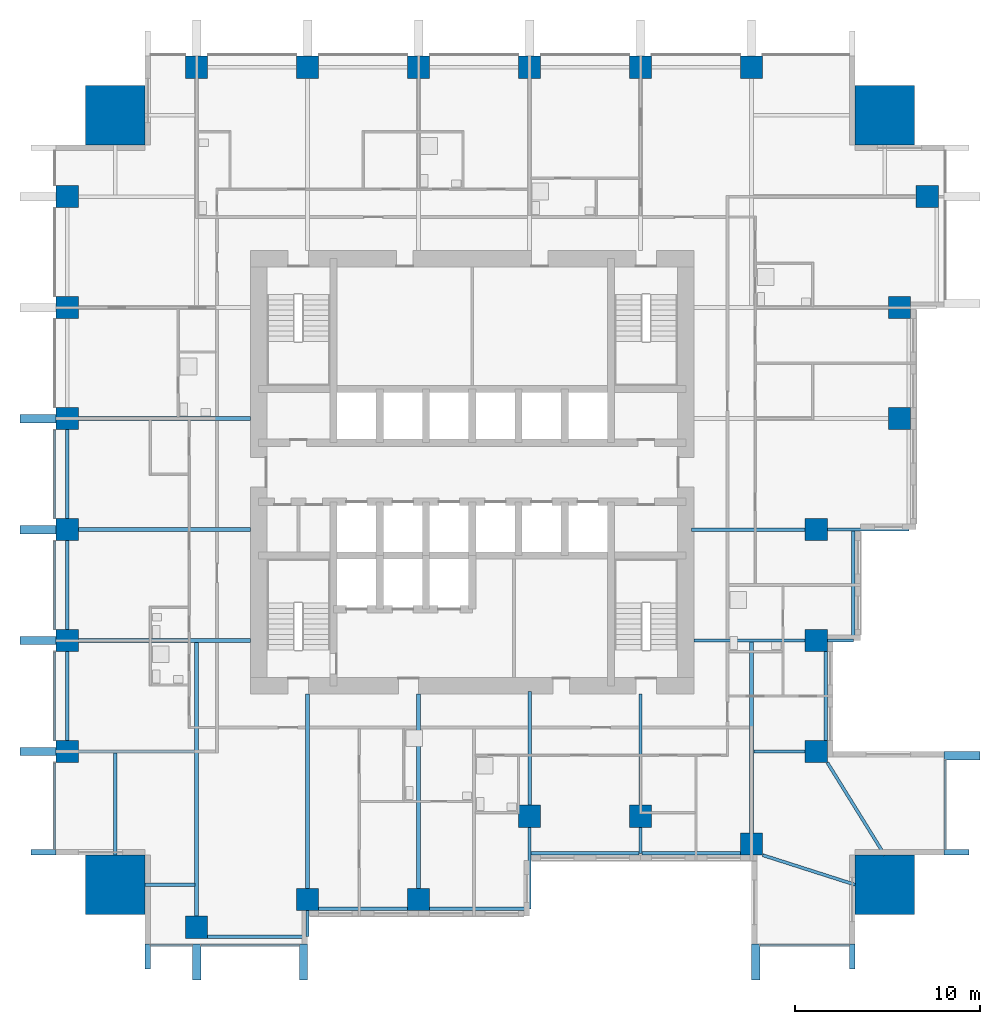
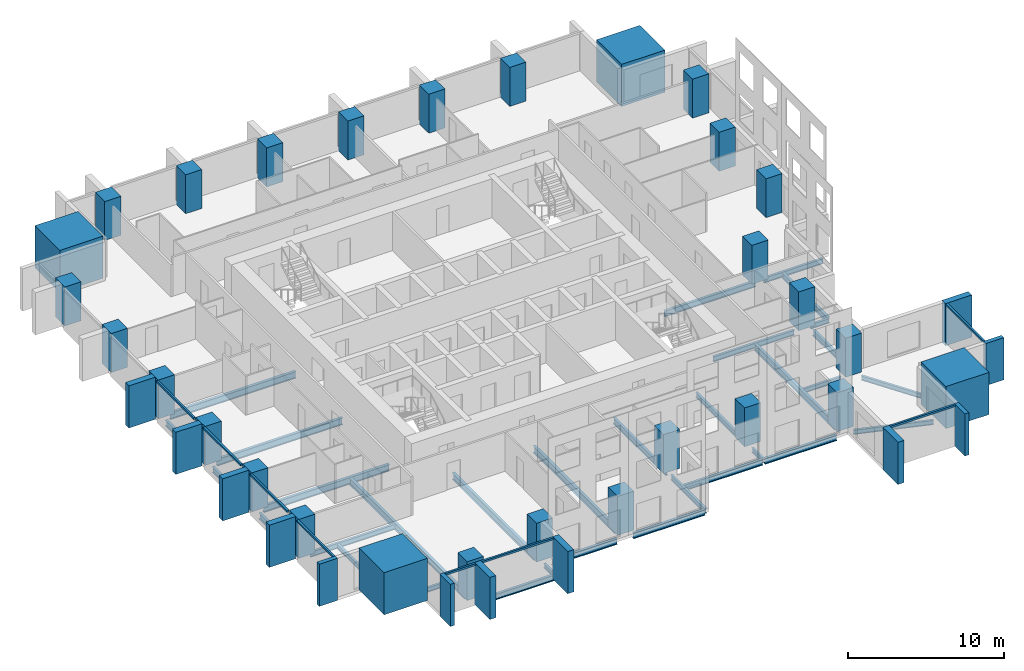
# One storey, part 1 of 11: 32 beams, 28 columns, 20 members, 4 elements without a shape of their own.
"""IFC4 building model written with IfcOpenShell, lengths in metres."""

from ifc_helpers import new_model, si_unit, direction, frame, origin, origin_2d, place, context, subcontext, project, spatial, rectangle, i_section, extrude, material, material_profile, profile_set, type_object, element, aggregate, save


model = new_model("IFC4")

# Units and contexts
model_context = context("Model", 3, precision=1e-05, world=origin(), true_north=direction((0.0, 1.0)))
body_context = subcontext(model_context, "Body", "Model", "MODEL_VIEW")
ifc_project = project(units=[si_unit("LENGTHUNIT", "METRE"), si_unit("AREAUNIT", "SQUARE_METRE"), si_unit("VOLUMEUNIT", "CUBIC_METRE"), si_unit("PLANEANGLEUNIT", "RADIAN"), si_unit("MASSUNIT", "GRAM", prefix="KILO")], contexts=[model_context])

# Site, building, storey
site_placement = place(None, origin())
site = spatial("IfcSite", under=ifc_project, at=site_placement, CompositionType="ELEMENT")
building_placement = place(site_placement, origin())
building = spatial("IfcBuilding", under=site, at=building_placement, Name="Amberfall Residences", CompositionType="ELEMENT")
storey_placement = place(building_placement, frame((0.0, 0.0, 33.39990234375)))
storey = spatial("IfcBuildingStorey", under=building, at=storey_placement, Name="L08", CompositionType="ELEMENT", Elevation=33.39990234375)

# Columns
ifc_material_1 = material(Name="Concrete C80", Category="concrete")
ifc_material_profile_1 = material_profile(ifc_material_1, rectangle(XDim=1.199951171875, YDim=1.199951171875, at=origin_2d()), Name="Column 1200 x 1200 C80")
ifc_profile_set_1 = profile_set([ifc_material_profile_1], Name="Concrete C80")
column_type_1 = type_object("IfcColumnType", Name="Column 1200 x 1200 C80", PredefinedType="COLUMN", material=ifc_profile_set_1)
for number, where, z_axis, x_axis, name in (
    (1, (59.60009765625, 20.89990234375, 0.0), (0.0, 0.0, 1.0), (1.0, 0.0, 0.0), "Column C1 L08 S1"),
    (2, (65.60009765625, 22.39990234375, 0.0), (0.0, 0.0, 1.0), (1.0, 0.0, 0.0), "Column C1 L08 S2"),
    (3, (71.60009765625, 22.39990234375, 0.0), (0.0, 0.0, 1.0), (1.0, 0.0, 0.0), "Column C1 L08 S3"),
    (4, (77.60009765625, 26.89990234375, 0.0), (0.0, 0.0, 1.0), (1.0, 0.0, 0.0), "Column C1 L08 S4"),
    (5, (83.60009765625, 26.89990234375, 0.0), (0.0, 0.0, 1.0), (1.0, 0.0, 0.0), "Column C1 L08 S5"),
    (6, (89.60009765625, 25.39990234375, 0.0), (0.0, 0.0, 1.0), (1.0, 0.0, 0.0), "Column C1 L08 S6"),
    (7, (93.10009765625, 30.39990234375, 0.0), (0.0, 0.0, 1.0), (1.0, 0.0, 0.0), "Column C1 L08 E1"),
    (8, (93.10009765625, 36.39990234375, 0.0), (0.0, 0.0, 1.0), (1.0, 0.0, 0.0), "Column C1 L08 E2"),
    (9, (93.10009765625, 42.39990234375, 0.0), (0.0, 0.0, 1.0), (1.0, 0.0, 0.0), "Column C1 L08 E3"),
    (10, (97.60009765625, 48.39990234375, 0.0), (0.0, 0.0, 1.0), (1.0, 0.0, 0.0), "Column C1 L08 E4"),
    (11, (97.60009765625, 54.39990234375, 0.0), (0.0, 0.0, 1.0), (1.0, 0.0, 0.0), "Column C1 L08 E5"),
    (12, (99.10009765625, 60.39990234375, 0.0), (0.0, 0.0, 1.0), (1.0, 0.0, 0.0), "Column C1 L08 E6"),
    (13, (59.60009765625, 67.39990234375, 0.0), (0.0, 0.0, 1.0), (1.0, 0.0, 0.0), "Column C1 L08 N1"),
    (14, (65.60009765625, 67.39990234375, 0.0), (0.0, 0.0, 1.0), (1.0, 0.0, 0.0), "Column C1 L08 N2"),
    (15, (71.60009765625, 67.39990234375, 0.0), (0.0, 0.0, 1.0), (1.0, 0.0, 0.0), "Column C1 L08 N3"),
    (16, (77.60009765625, 67.39990234375, 0.0), (0.0, 0.0, 1.0), (1.0, 0.0, 0.0), "Column C1 L08 N4"),
    (17, (83.60009765625, 67.39990234375, 0.0), (0.0, 0.0, 1.0), (1.0, 0.0, 0.0), "Column C1 L08 N5"),
    (18, (89.60009765625, 67.39990234375, 0.0), (0.0, 0.0, 1.0), (1.0, 0.0, 0.0), "Column C1 L08 N6"),
    (19, (52.60009765625, 30.39990234375, 0.0), (0.0, 0.0, 1.0), (1.0, 0.0, 0.0), "Column C1 L08 W1"),
    (20, (52.60009765625, 36.39990234375, 0.0), (0.0, 0.0, 1.0), (1.0, 0.0, 0.0), "Column C1 L08 W2"),
    (21, (52.60009765625, 42.39990234375, 0.0), (0.0, 0.0, 1.0), (1.0, 0.0, 0.0), "Column C1 L08 W3"),
    (22, (52.60009765625, 48.39990234375, 0.0), (0.0, 0.0, 1.0), (1.0, 0.0, 0.0), "Column C1 L08 W4"),
    (23, (52.60009765625, 54.39990234375, 0.0), (0.0, 0.0, 1.0), (1.0, 0.0, 0.0), "Column C1 L08 W5"),
    (24, (52.60009765625, 60.39990234375, 0.0), (0.0, 0.0, 1.0), (1.0, 0.0, 0.0), "Column C1 L08 W6"),
):
    element("IfcColumn", number, at=place(storey_placement, frame(where, z_axis=z_axis, x_axis=x_axis)), inside=storey, type_object=column_type_1, Name=name, PredefinedType="COLUMN", context=body_context, shape_type="SweptSolid", body=[
        extrude(rectangle(XDim=1.199951171875, YDim=1.199951171875, at=origin_2d()), origin(), (0.0, 0.0, 1.0), 3.050048828125),
    ])
ifc_material_profile_2 = material_profile(ifc_material_1, rectangle(XDim=3.199951171875, YDim=3.199951171875, at=origin_2d()), Name="Mega column 3200 x 3200 C80")
ifc_profile_set_2 = profile_set([ifc_material_profile_2], Name="Concrete C80")
column_type_2 = type_object("IfcColumnType", Name="Mega column 3200 x 3200 C80", PredefinedType="COLUMN", material=ifc_profile_set_2)
for number, where, z_axis, x_axis, name in (
    (25, (55.199951171875, 23.199951171875, 0.0), (0.0, 0.0, 1.0), (1.0, 0.0, 0.0), "Mega column MC1 L08 SW"),
    (26, (96.800048828125, 23.199951171875, 0.0), (0.0, 0.0, 1.0), (1.0, 0.0, 0.0), "Mega column MC1 L08 SE"),
    (27, (96.800048828125, 64.800048828125, 0.0), (0.0, 0.0, 1.0), (1.0, 0.0, 0.0), "Mega column MC1 L08 NE"),
    (28, (55.199951171875, 64.800048828125, 0.0), (0.0, 0.0, 1.0), (1.0, 0.0, 0.0), "Mega column MC1 L08 NW"),
):
    element("IfcColumn", number, at=place(storey_placement, frame(where, z_axis=z_axis, x_axis=x_axis)), inside=storey, type_object=column_type_2, Name=name, PredefinedType="COLUMN", context=body_context, shape_type="SweptSolid", body=[
        extrude(rectangle(XDim=3.199951171875, YDim=3.199951171875, at=origin_2d()), origin(), (0.0, 0.0, 1.0), 3.300048828125),
    ])

# Curtain wall, members
ifc_material_2 = material(Name="Bronze anodised aluminium and glass", Category="aluminium")
curtain_wall_type = type_object("IfcCurtainWallType", Name="Curtain wall CW1 tower unit", PredefinedType="USERDEFINED", material=ifc_material_2)
curtain_wall_1_placement = place(storey_placement, origin())
curtain_wall_1 = element("IfcCurtainWall", 29, at=curtain_wall_1_placement, inside=storey, type_object=curtain_wall_type, Name="Curtain wall L08 S S1", ObjectType="UNITISED CURTAIN WALL", PredefinedType="USERDEFINED")
ifc_material_3 = material(Name="Bronze anodised aluminium", Category="aluminium")
ifc_material_profile_3 = material_profile(ifc_material_3, rectangle(XDim=0.14990234375, YDim=0.14990234375, at=origin_2d()), Name="CW1 transom 150 x 150 bronze")
ifc_profile_set_3 = profile_set([ifc_material_profile_3], Name="Bronze anodised aluminium")
member_type_1 = type_object("IfcMemberType", Name="CW1 transom 150 x 150 bronze", PredefinedType="USERDEFINED", material=ifc_profile_set_3)
member_1_placement = place(storey_placement, frame((57.10009765625, 19.925048828125, 2.97509765625), z_axis=(1.0, 0.0, 0.0), x_axis=(0.0, 1.0, 0.0)))
member_1 = element("IfcMember", 30, at=member_1_placement, type_object=member_type_1, Name="CW1 transom 1.1", ObjectType="TRANSOM", PredefinedType="USERDEFINED", context=body_context, shape_type="SweptSolid", body=[
    extrude(rectangle(XDim=0.14990234375, YDim=0.14990234375, at=origin_2d()), origin(), (0.0, 0.0, 1.0), 2.27490234375),
])
member_2_placement = place(storey_placement, frame((59.824951171875, 19.925048828125, 2.97509765625), z_axis=(1.0, 0.0, 0.0), x_axis=(0.0, 1.0, 0.0)))
member_2 = element("IfcMember", 31, at=member_2_placement, type_object=member_type_1, Name="CW1 transom 2.1", ObjectType="TRANSOM", PredefinedType="USERDEFINED", context=body_context, shape_type="SweptSolid", body=[
    extrude(rectangle(XDim=0.14990234375, YDim=0.14990234375, at=origin_2d()), origin(), (0.0, 0.0, 1.0), 5.324951171875),
])

# Curtain wall, member
curtain_wall_2_placement = place(storey_placement, origin())
curtain_wall_2 = element("IfcCurtainWall", 32, at=curtain_wall_2_placement, inside=storey, type_object=curtain_wall_type, Name="Curtain wall L08 S S9", ObjectType="UNITISED CURTAIN WALL", PredefinedType="USERDEFINED")
member_3_placement = place(storey_placement, frame((90.050048828125, 19.925048828125, 2.97509765625), z_axis=(1.0, 0.0, 0.0), x_axis=(0.0, 1.0, 0.0)))
member_3 = element("IfcMember", 33, at=member_3_placement, type_object=member_type_1, Name="CW1 transom 1.1", ObjectType="TRANSOM", PredefinedType="USERDEFINED", context=body_context, shape_type="SweptSolid", body=[
    extrude(rectangle(XDim=0.14990234375, YDim=0.14990234375, at=origin_2d()), origin(), (0.0, 0.0, 1.0), 4.849853515625),
])

curtain_wall_3_placement = place(storey_placement, origin())
curtain_wall_3 = element("IfcCurtainWall", 34, at=curtain_wall_3_placement, inside=storey, type_object=curtain_wall_type, Name="Curtain wall L08 E E1", ObjectType="UNITISED CURTAIN WALL", PredefinedType="USERDEFINED")
member_4_placement = place(storey_placement, frame((100.074951171875, 25.10009765625, 2.97509765625), z_axis=(0.0, 1.0, 0.0), x_axis=(-1.0, 0.0, 0.0)))
member_4 = element("IfcMember", 35, at=member_4_placement, type_object=member_type_1, Name="CW1 transom 1.1", ObjectType="TRANSOM", PredefinedType="USERDEFINED", context=body_context, shape_type="SweptSolid", body=[
    extrude(rectangle(XDim=0.14990234375, YDim=0.14990234375, at=origin_2d()), origin(), (0.0, 0.0, 1.0), 4.849853515625),
])

# Curtain wall, members
curtain_wall_4_placement = place(storey_placement, origin())
curtain_wall_4 = element("IfcCurtainWall", 36, at=curtain_wall_4_placement, inside=storey, type_object=curtain_wall_type, Name="Curtain wall L08 W W1", ObjectType="UNITISED CURTAIN WALL", PredefinedType="USERDEFINED")
member_5_placement = place(storey_placement, frame((51.925048828125, 47.794921875, 2.97509765625), z_axis=(0.0, -1.0, 0.0), x_axis=(1.0, 0.0, 0.0)))
member_5 = element("IfcMember", 37, at=member_5_placement, type_object=member_type_1, Name="CW1 transom 4.1", ObjectType="TRANSOM", PredefinedType="USERDEFINED", context=body_context, shape_type="SweptSolid", body=[
    extrude(rectangle(XDim=0.14990234375, YDim=0.14990234375, at=origin_2d()), origin(), (0.0, 0.0, 1.0), 4.7900390625),
])
member_6_placement = place(storey_placement, frame((51.925048828125, 41.794921875, 2.97509765625), z_axis=(0.0, -1.0, 0.0), x_axis=(1.0, 0.0, 0.0)))
member_6 = element("IfcMember", 38, at=member_6_placement, type_object=member_type_1, Name="CW1 transom 5.1", ObjectType="TRANSOM", PredefinedType="USERDEFINED", context=body_context, shape_type="SweptSolid", body=[
    extrude(rectangle(XDim=0.14990234375, YDim=0.14990234375, at=origin_2d()), origin(), (0.0, 0.0, 1.0), 4.7900390625),
])
member_7_placement = place(storey_placement, frame((51.925048828125, 35.794921875, 2.97509765625), z_axis=(0.0, -1.0, 0.0), x_axis=(1.0, 0.0, 0.0)))
member_7 = element("IfcMember", 39, at=member_7_placement, type_object=member_type_1, Name="CW1 transom 6.1", ObjectType="TRANSOM", PredefinedType="USERDEFINED", context=body_context, shape_type="SweptSolid", body=[
    extrude(rectangle(XDim=0.14990234375, YDim=0.14990234375, at=origin_2d()), origin(), (0.0, 0.0, 1.0), 4.7900390625),
])
member_8_placement = place(storey_placement, frame((51.925048828125, 29.794921875, 2.97509765625), z_axis=(0.0, -1.0, 0.0), x_axis=(1.0, 0.0, 0.0)))
member_8 = element("IfcMember", 40, at=member_8_placement, type_object=member_type_1, Name="CW1 transom 7.1", ObjectType="TRANSOM", PredefinedType="USERDEFINED", context=body_context, shape_type="SweptSolid", body=[
    extrude(rectangle(XDim=0.14990234375, YDim=0.14990234375, at=origin_2d()), origin(), (0.0, 0.0, 1.0), 4.69482421875),
])

# Beams
ifc_material_4 = material(Name="Steel S355", Category="steel")
ifc_material_profile_4 = material_profile(ifc_material_4, i_section(OverallWidth=0.171142578125, OverallDepth=0.351318359375, WebThickness=0.007080078125, FlangeThickness=0.009765625, FilletRadius=0.01025390625, at=origin_2d()), Name="UB 356x171x45")
ifc_profile_set_4 = profile_set([ifc_material_profile_4], Name="Steel S355")
beam_type_1 = type_object("IfcBeamType", Name="Cantilever girder UB 356x171x45", PredefinedType="BEAM", material=ifc_profile_set_4)
for number, where, z_axis, x_axis, name in (
    (41, (65.60009765625, 21.800048828125, -0.425537109375), (0.0, -1.0, 0.0), (1.0, 0.0, 0.0), "Cantilever girder B8 L08 06"),
    (42, (83.60009765625, 26.300048828125, -0.425537109375), (0.0, -1.0, 0.0), (1.0, 0.0, 0.0), "Cantilever girder B8 L08 08"),
    (43, (93.699951171875, 36.39990234375, -0.425537109375), (1.0, 0.0, 0.0), (0.0, 1.0, 0.0), "Cantilever girder B8 L08 20"),
):
    element("IfcBeam", number, at=place(storey_placement, frame(where, z_axis=z_axis, x_axis=x_axis)), inside=storey, type_object=beam_type_1, Name=name, PredefinedType="BEAM", context=body_context, shape_type="SweptSolid", body=[
        extrude(i_section(OverallWidth=0.171142578125, OverallDepth=0.351318359375, WebThickness=0.007080078125, FlangeThickness=0.009765625, FilletRadius=0.01025390625, at=origin_2d()), origin(), (0.0, 0.0, 1.0), 1.400146484375),
    ])
ifc_material_profile_5 = material_profile(ifc_material_4, i_section(OverallWidth=0.177734375, OverallDepth=0.402587890625, WebThickness=0.0078125, FlangeThickness=0.010986328125, FilletRadius=0.01025390625, at=origin_2d()), Name="UB 406x178x54")
ifc_profile_set_5 = profile_set([ifc_material_profile_5], Name="Steel S355")
beam_type_2 = type_object("IfcBeamType", Name="Cantilever girder UB 406x178x54", PredefinedType="BEAM", material=ifc_profile_set_5)
for number, where, z_axis, x_axis, name in (
    (44, (77.60009765625, 26.300048828125, -0.451171875), (0.0, -1.0, 0.0), (1.0, 0.0, 0.0), "Cantilever girder B9 L08 07"),
    (45, (93.699951171875, 42.39990234375, -0.451171875), (1.0, 0.0, 0.0), (0.0, 1.0, 0.0), "Cantilever girder B9 L08 21"),
):
    element("IfcBeam", number, at=place(storey_placement, frame(where, z_axis=z_axis, x_axis=x_axis)), inside=storey, type_object=beam_type_2, Name=name, PredefinedType="BEAM", context=body_context, shape_type="SweptSolid", body=[
        extrude(i_section(OverallWidth=0.177734375, OverallDepth=0.402587890625, WebThickness=0.0078125, FlangeThickness=0.010986328125, FilletRadius=0.01025390625, at=origin_2d()), origin(), (0.0, 0.0, 1.0), 4.400146484375),
    ])

# Member
ifc_material_profile_6 = material_profile(ifc_material_3, rectangle(XDim=1.35009765625, YDim=0.300048828125, at=origin_2d()), Name="Corner fin 300 x 1350 bronze")
ifc_profile_set_6 = profile_set([ifc_material_profile_6], Name="Bronze anodised aluminium")
member_type_2 = type_object("IfcMemberType", Name="Corner fin 300 x 1350 bronze", PredefinedType="MULLION", material=ifc_profile_set_6)
member_9_placement = place(storey_placement, frame((56.949951171875, 19.324951171875, -0.25), z_axis=(0.0, 0.0, 1.0), x_axis=(0.0, 1.0, 0.0)))
member_9 = element("IfcMember", 46, at=member_9_placement, type_object=member_type_2, Name="CW FIN 1", PredefinedType="MULLION", context=body_context, shape_type="SweptSolid", body=[
    extrude(rectangle(XDim=1.35009765625, YDim=0.300048828125, at=origin_2d()), origin(), (0.0, 0.0, 1.0), 3.300048828125),
])

member_10_placement = place(storey_placement, frame((95.050048828125, 19.324951171875, -0.25), z_axis=(0.0, 0.0, 1.0), x_axis=(0.0, 1.0, 0.0)))
member_10 = element("IfcMember", 47, at=member_10_placement, type_object=member_type_2, Name="CW FIN 2", PredefinedType="MULLION", context=body_context, shape_type="SweptSolid", body=[
    extrude(rectangle(XDim=1.35009765625, YDim=0.300048828125, at=origin_2d()), origin(), (0.0, 0.0, 1.0), 3.300048828125),
])

member_11_placement = place(storey_placement, frame((100.675048828125, 24.949951171875, -0.25), z_axis=(0.0, 0.0, 1.0), x_axis=(-1.0, 0.0, 0.0)))
member_11 = element("IfcMember", 48, at=member_11_placement, type_object=member_type_2, Name="CW FIN 1", PredefinedType="MULLION", context=body_context, shape_type="SweptSolid", body=[
    extrude(rectangle(XDim=1.35009765625, YDim=0.300048828125, at=origin_2d()), origin(), (0.0, 0.0, 1.0), 3.300048828125),
])

member_12_placement = place(storey_placement, frame((51.324951171875, 24.949951171875, -0.25), z_axis=(0.0, 0.0, 1.0), x_axis=(1.0, 0.0, 0.0)))
member_12 = element("IfcMember", 49, at=member_12_placement, type_object=member_type_2, Name="CW FIN 8", PredefinedType="MULLION", context=body_context, shape_type="SweptSolid", body=[
    extrude(rectangle(XDim=1.35009765625, YDim=0.300048828125, at=origin_2d()), origin(), (0.0, 0.0, 1.0), 3.300048828125),
])

# Beams
ifc_material_profile_7 = material_profile(ifc_material_4, i_section(OverallWidth=0.18994140625, OverallDepth=0.453369140625, WebThickness=0.008544921875, FlangeThickness=0.0126953125, FilletRadius=0.01025390625, at=origin_2d()), Name="UB 457x191x67")
ifc_profile_set_7 = profile_set([ifc_material_profile_7], Name="Steel S355")
beam_type_3 = type_object("IfcBeamType", Name="Edge beam UB 457x191x67", PredefinedType="SPANDREL", material=ifc_profile_set_7)
beam_1_placement = place(storey_placement, frame((60.199951171875, 20.39990234375, -0.4765625), z_axis=(1.0, 0.0, 0.0), x_axis=(0.0, 1.0, 0.0)))
element("IfcBeam", 50, at=beam_1_placement, inside=storey, type_object=beam_type_3, Name="Edge beam B1 L08 01", PredefinedType="SPANDREL", context=body_context, shape_type="SweptSolid", body=[
    extrude(i_section(OverallWidth=0.18994140625, OverallDepth=0.453369140625, WebThickness=0.008544921875, FlangeThickness=0.0126953125, FilletRadius=0.01025390625, at=origin_2d()), origin(), (0.0, 0.0, 1.0), 5.320068359375),
])
beam_2_placement = place(storey_placement, frame((66.199951171875, 21.89990234375, -0.4765625), z_axis=(1.0, 0.0, 0.0), x_axis=(0.0, 1.0, 0.0)))
element("IfcBeam", 51, at=beam_2_placement, inside=storey, type_object=beam_type_3, Name="Edge beam B1 L08 02", PredefinedType="SPANDREL", context=body_context, shape_type="SweptSolid", body=[
    extrude(i_section(OverallWidth=0.18994140625, OverallDepth=0.453369140625, WebThickness=0.008544921875, FlangeThickness=0.0126953125, FilletRadius=0.01025390625, at=origin_2d()), origin(), (0.0, 0.0, 1.0), 4.800048828125),
])
beam_3_placement = place(storey_placement, frame((72.199951171875, 21.89990234375, -0.4765625), z_axis=(1.0, 0.0, 0.0), x_axis=(0.0, 1.0, 0.0)))
element("IfcBeam", 52, at=beam_3_placement, inside=storey, type_object=beam_type_3, Name="Edge beam B1 L08 03", PredefinedType="SPANDREL", context=body_context, shape_type="SweptSolid", body=[
    extrude(i_section(OverallWidth=0.18994140625, OverallDepth=0.453369140625, WebThickness=0.008544921875, FlangeThickness=0.0126953125, FilletRadius=0.01025390625, at=origin_2d()), origin(), (0.0, 0.0, 1.0), 5.320068359375),
])
beam_4_placement = place(storey_placement, frame((77.679931640625, 24.89990234375, -0.4765625), z_axis=(1.0, 0.0, 0.0), x_axis=(0.0, 1.0, 0.0)))
element("IfcBeam", 53, at=beam_4_placement, inside=storey, type_object=beam_type_3, Name="Edge beam B1 L08 04", PredefinedType="SPANDREL", context=body_context, shape_type="SweptSolid", body=[
    extrude(i_section(OverallWidth=0.18994140625, OverallDepth=0.453369140625, WebThickness=0.008544921875, FlangeThickness=0.0126953125, FilletRadius=0.01025390625, at=origin_2d()), origin(), (0.0, 0.0, 1.0), 5.840087890625),
])
beam_5_placement = place(storey_placement, frame((83.679931640625, 24.89990234375, -0.4765625), z_axis=(1.0, 0.0, 0.0), x_axis=(0.0, 1.0, 0.0)))
element("IfcBeam", 54, at=beam_5_placement, inside=storey, type_object=beam_type_3, Name="Edge beam B1 L08 05", PredefinedType="SPANDREL", context=body_context, shape_type="SweptSolid", body=[
    extrude(i_section(OverallWidth=0.18994140625, OverallDepth=0.453369140625, WebThickness=0.008544921875, FlangeThickness=0.0126953125, FilletRadius=0.01025390625, at=origin_2d()), origin(), (0.0, 0.0, 1.0), 5.320068359375),
])
beam_6_placement = place(storey_placement, frame((93.60009765625, 31.0, -0.4765625), z_axis=(0.0, 1.0, 0.0), x_axis=(-1.0, 0.0, 0.0)))
element("IfcBeam", 55, at=beam_6_placement, inside=storey, type_object=beam_type_3, Name="Edge beam B1 L08 15", PredefinedType="SPANDREL", context=body_context, shape_type="SweptSolid", body=[
    extrude(i_section(OverallWidth=0.18994140625, OverallDepth=0.453369140625, WebThickness=0.008544921875, FlangeThickness=0.0126953125, FilletRadius=0.01025390625, at=origin_2d()), origin(), (0.0, 0.0, 1.0), 4.800048828125),
])
beam_7_placement = place(storey_placement, frame((95.10009765625, 36.47998046875, -0.4765625), z_axis=(0.0, 1.0, 0.0), x_axis=(-1.0, 0.0, 0.0)))
element("IfcBeam", 56, at=beam_7_placement, inside=storey, type_object=beam_type_3, Name="Edge beam B1 L08 16", PredefinedType="SPANDREL", context=body_context, shape_type="SweptSolid", body=[
    extrude(i_section(OverallWidth=0.18994140625, OverallDepth=0.453369140625, WebThickness=0.008544921875, FlangeThickness=0.0126953125, FilletRadius=0.01025390625, at=origin_2d()), origin(), (0.0, 0.0, 1.0), 5.840087890625),
])
for number, where, z_axis, x_axis, name in (
    (57, (52.60009765625, 31.0, -0.4765625), (0.0, 1.0, 0.0), (-1.0, 0.0, 0.0), "Edge beam B1 L08 40"),
    (58, (52.60009765625, 37.0, -0.4765625), (0.0, 1.0, 0.0), (-1.0, 0.0, 0.0), "Edge beam B1 L08 41"),
    (59, (52.60009765625, 43.0, -0.4765625), (0.0, 1.0, 0.0), (-1.0, 0.0, 0.0), "Edge beam B1 L08 42"),
):
    element("IfcBeam", number, at=place(storey_placement, frame(where, z_axis=z_axis, x_axis=x_axis)), inside=storey, type_object=beam_type_3, Name=name, PredefinedType="SPANDREL", context=body_context, shape_type="SweptSolid", body=[
        extrude(i_section(OverallWidth=0.18994140625, OverallDepth=0.453369140625, WebThickness=0.008544921875, FlangeThickness=0.0126953125, FilletRadius=0.01025390625, at=origin_2d()), origin(), (0.0, 0.0, 1.0), 4.800048828125),
    ])

# Member
ifc_material_profile_8 = material_profile(ifc_material_3, rectangle(XDim=1.949951171875, YDim=0.449951171875, at=origin_2d()), Name="Fin 450 x 1950 bronze")
ifc_profile_set_8 = profile_set([ifc_material_profile_8], Name="Bronze anodised aluminium")
member_type_3 = type_object("IfcMemberType", Name="Fin 450 x 1950 bronze", PredefinedType="MULLION", material=ifc_profile_set_8)
member_13_placement = place(storey_placement, frame((59.60009765625, 19.02490234375, -0.25), z_axis=(0.0, 0.0, 1.0), x_axis=(0.0, 1.0, 0.0)))
member_13 = element("IfcMember", 60, at=member_13_placement, type_object=member_type_3, Name="CW FIN 2", PredefinedType="MULLION", context=body_context, shape_type="SweptSolid", body=[
    extrude(rectangle(XDim=1.949951171875, YDim=0.449951171875, at=origin_2d()), origin(), (0.0, 0.0, 1.0), 3.300048828125),
])

member_14_placement = place(storey_placement, frame((65.375, 19.02490234375, -0.25), z_axis=(0.0, 0.0, 1.0), x_axis=(0.0, 1.0, 0.0)))
member_14 = element("IfcMember", 61, at=member_14_placement, type_object=member_type_3, Name="CW FIN 3", PredefinedType="MULLION", context=body_context, shape_type="SweptSolid", body=[
    extrude(rectangle(XDim=1.949951171875, YDim=0.449951171875, at=origin_2d()), origin(), (0.0, 0.0, 1.0), 3.300048828125),
])

aggregate(curtain_wall_1, [member_9, member_13, member_14, member_1, member_2])

member_15_placement = place(storey_placement, frame((89.824951171875, 19.02490234375, -0.25), z_axis=(0.0, 0.0, 1.0), x_axis=(0.0, 1.0, 0.0)))
member_15 = element("IfcMember", 62, at=member_15_placement, type_object=member_type_3, Name="CW FIN 1", PredefinedType="MULLION", context=body_context, shape_type="SweptSolid", body=[
    extrude(rectangle(XDim=1.949951171875, YDim=0.449951171875, at=origin_2d()), origin(), (0.0, 0.0, 1.0), 3.300048828125),
])

aggregate(curtain_wall_2, [member_15, member_10, member_3])

member_16_placement = place(storey_placement, frame((100.97509765625, 30.175048828125, -0.25), z_axis=(0.0, 0.0, 1.0), x_axis=(-1.0, 0.0, 0.0)))
member_16 = element("IfcMember", 63, at=member_16_placement, type_object=member_type_3, Name="CW FIN 2", PredefinedType="MULLION", context=body_context, shape_type="SweptSolid", body=[
    extrude(rectangle(XDim=1.949951171875, YDim=0.449951171875, at=origin_2d()), origin(), (0.0, 0.0, 1.0), 3.300048828125),
])

aggregate(curtain_wall_3, [member_11, member_16, member_4])

member_17_placement = place(storey_placement, frame((51.02490234375, 48.39990234375, -0.25), z_axis=(0.0, 0.0, 1.0), x_axis=(1.0, 0.0, 0.0)))
member_17 = element("IfcMember", 64, at=member_17_placement, type_object=member_type_3, Name="CW FIN 4", PredefinedType="MULLION", context=body_context, shape_type="SweptSolid", body=[
    extrude(rectangle(XDim=1.949951171875, YDim=0.449951171875, at=origin_2d()), origin(), (0.0, 0.0, 1.0), 3.300048828125),
])

member_18_placement = place(storey_placement, frame((51.02490234375, 42.39990234375, -0.25), z_axis=(0.0, 0.0, 1.0), x_axis=(1.0, 0.0, 0.0)))
member_18 = element("IfcMember", 65, at=member_18_placement, type_object=member_type_3, Name="CW FIN 5", PredefinedType="MULLION", context=body_context, shape_type="SweptSolid", body=[
    extrude(rectangle(XDim=1.949951171875, YDim=0.449951171875, at=origin_2d()), origin(), (0.0, 0.0, 1.0), 3.300048828125),
])

member_19_placement = place(storey_placement, frame((51.02490234375, 36.39990234375, -0.25), z_axis=(0.0, 0.0, 1.0), x_axis=(1.0, 0.0, 0.0)))
member_19 = element("IfcMember", 66, at=member_19_placement, type_object=member_type_3, Name="CW FIN 6", PredefinedType="MULLION", context=body_context, shape_type="SweptSolid", body=[
    extrude(rectangle(XDim=1.949951171875, YDim=0.449951171875, at=origin_2d()), origin(), (0.0, 0.0, 1.0), 3.300048828125),
])

member_20_placement = place(storey_placement, frame((51.02490234375, 30.39990234375, -0.25), z_axis=(0.0, 0.0, 1.0), x_axis=(1.0, 0.0, 0.0)))
member_20 = element("IfcMember", 67, at=member_20_placement, type_object=member_type_3, Name="CW FIN 7", PredefinedType="MULLION", context=body_context, shape_type="SweptSolid", body=[
    extrude(rectangle(XDim=1.949951171875, YDim=0.449951171875, at=origin_2d()), origin(), (0.0, 0.0, 1.0), 3.300048828125),
])

aggregate(curtain_wall_4, [member_17, member_18, member_19, member_20, member_12, member_5, member_6, member_7, member_8])

# Beams
ifc_material_profile_9 = material_profile(ifc_material_4, i_section(OverallWidth=0.171142578125, OverallDepth=0.351318359375, WebThickness=0.007080078125, FlangeThickness=0.009765625, FilletRadius=0.01025390625, at=origin_2d()), Name="UB 356x171x45")
ifc_profile_set_9 = profile_set([ifc_material_profile_9], Name="Steel S355")
beam_type_4 = type_object("IfcBeamType", Name="Floor girder UB 356x171x45", PredefinedType="BEAM", material=ifc_profile_set_9)
beam_8_placement = place(storey_placement, frame((92.5, 30.39990234375, -0.425537109375), z_axis=(-1.0, 0.0, 0.0), x_axis=(0.0, -1.0, 0.0)))
element("IfcBeam", 68, at=beam_8_placement, inside=storey, type_object=beam_type_4, Name="Floor girder B11 L08 23", PredefinedType="BEAM", context=body_context, shape_type="SweptSolid", body=[
    extrude(i_section(OverallWidth=0.171142578125, OverallDepth=0.351318359375, WebThickness=0.007080078125, FlangeThickness=0.009765625, FilletRadius=0.01025390625, at=origin_2d()), origin(), (0.0, 0.0, 1.0), 2.780029296875),
])
ifc_material_profile_10 = material_profile(ifc_material_4, i_section(OverallWidth=0.177734375, OverallDepth=0.402587890625, WebThickness=0.0078125, FlangeThickness=0.010986328125, FilletRadius=0.01025390625, at=origin_2d()), Name="UB 406x178x54")
ifc_profile_set_10 = profile_set([ifc_material_profile_10], Name="Steel S355")
beam_type_5 = type_object("IfcBeamType", Name="Floor girder UB 406x178x54", PredefinedType="BEAM", material=ifc_profile_set_10)
for number, where, z_axis, x_axis, name in (
    (69, (83.60009765625, 27.5, -0.451171875), (0.0, 1.0, 0.0), (-1.0, 0.0, 0.0), "Floor girder B4 L08 13"),
    (70, (92.5, 36.39990234375, -0.451171875), (-1.0, 0.0, 0.0), (0.0, -1.0, 0.0), "Floor girder B4 L08 24"),
):
    element("IfcBeam", number, at=place(storey_placement, frame(where, z_axis=z_axis, x_axis=x_axis)), inside=storey, type_object=beam_type_5, Name=name, PredefinedType="BEAM", context=body_context, shape_type="SweptSolid", body=[
        extrude(i_section(OverallWidth=0.177734375, OverallDepth=0.402587890625, WebThickness=0.0078125, FlangeThickness=0.010986328125, FilletRadius=0.01025390625, at=origin_2d()), origin(), (0.0, 0.0, 1.0), 6.0),
    ])
beam_9_placement = place(storey_placement, frame((53.199951171875, 30.39990234375, -0.451171875), z_axis=(1.0, 0.0, 0.0), x_axis=(0.0, 1.0, 0.0)))
element("IfcBeam", 71, at=beam_9_placement, inside=storey, type_object=beam_type_5, Name="Floor girder B4 L08 45", PredefinedType="BEAM", context=body_context, shape_type="SweptSolid", body=[
    extrude(i_section(OverallWidth=0.177734375, OverallDepth=0.402587890625, WebThickness=0.0078125, FlangeThickness=0.010986328125, FilletRadius=0.01025390625, at=origin_2d()), origin(), (0.0, 0.0, 1.0), 6.280029296875),
])
ifc_material_profile_11 = material_profile(ifc_material_4, i_section(OverallWidth=0.19140625, OverallDepth=0.4599609375, WebThickness=0.010009765625, FlangeThickness=0.01611328125, FilletRadius=0.01025390625, at=origin_2d()), Name="UB 457x191x82")
ifc_profile_set_11 = profile_set([ifc_material_profile_11], Name="Steel S355")
beam_type_6 = type_object("IfcBeamType", Name="Floor girder UB 457x191x82", PredefinedType="BEAM", material=ifc_profile_set_11)
for number, where, z_axis, x_axis, name in (
    (72, (77.60009765625, 26.89990234375, -0.47998046875), (0.0, 1.0, 0.0), (-1.0, 0.0, 0.0), "Floor girder B10 L08 12"),
    (73, (93.10009765625, 42.39990234375, -0.47998046875), (-1.0, 0.0, 0.0), (0.0, -1.0, 0.0), "Floor girder B10 L08 25"),
):
    element("IfcBeam", number, at=place(storey_placement, frame(where, z_axis=z_axis, x_axis=x_axis)), inside=storey, type_object=beam_type_6, Name=name, PredefinedType="BEAM", context=body_context, shape_type="SweptSolid", body=[
        extrude(i_section(OverallWidth=0.19140625, OverallDepth=0.4599609375, WebThickness=0.010009765625, FlangeThickness=0.01611328125, FilletRadius=0.01025390625, at=origin_2d()), origin(), (0.0, 0.0, 1.0), 6.75),
    ])
ifc_material_profile_12 = material_profile(ifc_material_4, i_section(OverallWidth=0.210693359375, OverallDepth=0.53955078125, WebThickness=0.01171875, FlangeThickness=0.018798828125, FilletRadius=0.0126953125, at=origin_2d()), Name="UB 533x210x109")
ifc_profile_set_12 = profile_set([ifc_material_profile_12], Name="Steel S355")
beam_type_7 = type_object("IfcBeamType", Name="Floor girder UB 533x210x109", PredefinedType="BEAM", material=ifc_profile_set_12)
beam_10_placement = place(storey_placement, frame((59.60009765625, 21.5, -0.51953125), z_axis=(0.0, 1.0, 0.0), x_axis=(-1.0, 0.0, 0.0)))
element("IfcBeam", 74, at=beam_10_placement, inside=storey, type_object=beam_type_7, Name="Floor girder B2 L08 09", PredefinedType="BEAM", context=body_context, shape_type="SweptSolid", body=[
    extrude(i_section(OverallWidth=0.210693359375, OverallDepth=0.53955078125, WebThickness=0.01171875, FlangeThickness=0.018798828125, FilletRadius=0.0126953125, at=origin_2d()), origin(), (0.0, 0.0, 1.0), 14.80029296875),
])
ifc_material_profile_13 = material_profile(ifc_material_4, i_section(OverallWidth=0.209228515625, OverallDepth=0.533203125, WebThickness=0.010009765625, FlangeThickness=0.015625, FilletRadius=0.0126953125, at=origin_2d()), Name="UB 533x210x92")
ifc_profile_set_13 = profile_set([ifc_material_profile_13], Name="Steel S355")
beam_type_8 = type_object("IfcBeamType", Name="Floor girder UB 533x210x92", PredefinedType="BEAM", material=ifc_profile_set_13)
for number, where, z_axis, x_axis, name in (
    (75, (65.60009765625, 23.0, -0.516357421875), (0.0, 1.0, 0.0), (-1.0, 0.0, 0.0), "Floor girder B3 L08 10"),
    (76, (71.60009765625, 23.0, -0.516357421875), (0.0, 1.0, 0.0), (-1.0, 0.0, 0.0), "Floor girder B3 L08 11"),
):
    element("IfcBeam", number, at=place(storey_placement, frame(where, z_axis=z_axis, x_axis=x_axis)), inside=storey, type_object=beam_type_8, Name=name, PredefinedType="BEAM", context=body_context, shape_type="SweptSolid", body=[
        extrude(i_section(OverallWidth=0.209228515625, OverallDepth=0.533203125, WebThickness=0.010009765625, FlangeThickness=0.015625, FilletRadius=0.0126953125, at=origin_2d()), origin(), (0.0, 0.0, 1.0), 10.5),
    ])
beam_11_placement = place(storey_placement, frame((89.60009765625, 26.0, -0.516357421875), z_axis=(0.0, 1.0, 0.0), x_axis=(-1.0, 0.0, 0.0)))
element("IfcBeam", 77, at=beam_11_placement, inside=storey, type_object=beam_type_8, Name="Floor girder B3 L08 14", PredefinedType="BEAM", context=body_context, shape_type="SweptSolid", body=[
    extrude(i_section(OverallWidth=0.209228515625, OverallDepth=0.533203125, WebThickness=0.010009765625, FlangeThickness=0.015625, FilletRadius=0.0126953125, at=origin_2d()), origin(), (0.0, 0.0, 1.0), 10.316162109375),
])
for number, where, z_axis, x_axis, name in (
    (78, (53.199951171875, 36.39990234375, -0.516357421875), (1.0, 0.0, 0.0), (0.0, 1.0, 0.0), "Floor girder B3 L08 46"),
    (79, (53.199951171875, 42.39990234375, -0.516357421875), (1.0, 0.0, 0.0), (0.0, 1.0, 0.0), "Floor girder B3 L08 47"),
    (80, (53.199951171875, 48.39990234375, -0.516357421875), (1.0, 0.0, 0.0), (0.0, 1.0, 0.0), "Floor girder B3 L08 48"),
):
    element("IfcBeam", number, at=place(storey_placement, frame(where, z_axis=z_axis, x_axis=x_axis)), inside=storey, type_object=beam_type_8, Name=name, PredefinedType="BEAM", context=body_context, shape_type="SweptSolid", body=[
        extrude(i_section(OverallWidth=0.209228515625, OverallDepth=0.533203125, WebThickness=0.010009765625, FlangeThickness=0.015625, FilletRadius=0.0126953125, at=origin_2d()), origin(), (0.0, 0.0, 1.0), 9.300048828125),
    ])
ifc_material_profile_14 = material_profile(ifc_material_4, i_section(OverallWidth=0.171142578125, OverallDepth=0.351318359375, WebThickness=0.007080078125, FlangeThickness=0.009765625, FilletRadius=0.01025390625, at=origin_2d()), Name="UB 356x171x45")
ifc_profile_set_14 = profile_set([ifc_material_profile_14], Name="Steel S355")
beam_type_9 = type_object("IfcBeamType", Name="Link beam UB 356x171x45", PredefinedType="BEAM", material=ifc_profile_set_14)
beam_12_placement = place(storey_placement, frame((56.800048828125, 23.199951171875, -0.425537109375), z_axis=(1.0, 0.0, 0.0), x_axis=(0.0, 1.0, 0.0)))
element("IfcBeam", 81, at=beam_12_placement, inside=storey, type_object=beam_type_9, Name="Link beam B7 L08 51", PredefinedType="BEAM", context=body_context, shape_type="SweptSolid", body=[
    extrude(i_section(OverallWidth=0.171142578125, OverallDepth=0.351318359375, WebThickness=0.007080078125, FlangeThickness=0.009765625, FilletRadius=0.01025390625, at=origin_2d()), origin(), (0.0, 0.0, 1.0), 2.70458984375),
])
beam_13_placement = place(storey_placement, frame((55.199951171875, 24.800048828125, -0.425537109375), z_axis=(0.0, 1.0, 0.0), x_axis=(-1.0, 0.0, 0.0)))
element("IfcBeam", 82, at=beam_13_placement, inside=storey, type_object=beam_type_9, Name="Link beam B7 L08 52", PredefinedType="BEAM", context=body_context, shape_type="SweptSolid", body=[
    extrude(i_section(OverallWidth=0.171142578125, OverallDepth=0.351318359375, WebThickness=0.007080078125, FlangeThickness=0.009765625, FilletRadius=0.01025390625, at=origin_2d()), origin(), (0.0, 0.0, 1.0), 5.521240234375),
])
beam_14_placement = place(storey_placement, frame((95.199951171875, 23.199951171875, -0.425537109375), z_axis=(-0.952418747361, 0.304792601084, 0.0), x_axis=(-0.304792601084, -0.952418747361, 0.0)))
element("IfcBeam", 83, at=beam_14_placement, inside=storey, type_object=beam_type_9, Name="Link beam B7 L08 53", PredefinedType="BEAM", context=body_context, shape_type="SweptSolid", body=[
    extrude(i_section(OverallWidth=0.171142578125, OverallDepth=0.351318359375, WebThickness=0.007080078125, FlangeThickness=0.009765625, FilletRadius=0.01025390625, at=origin_2d()), origin(), (0.0, 0.0, 1.0), 5.249755859375),
])
beam_15_placement = place(storey_placement, frame((96.800048828125, 24.800048828125, -0.425537109375), z_axis=(-0.526951659214, 0.849895257577, 0.0), x_axis=(-0.849895257577, -0.526951659214, 0.0)))
element("IfcBeam", 84, at=beam_15_placement, inside=storey, type_object=beam_type_9, Name="Link beam B7 L08 54", PredefinedType="BEAM", context=body_context, shape_type="SweptSolid", body=[
    extrude(i_section(OverallWidth=0.171142578125, OverallDepth=0.351318359375, WebThickness=0.007080078125, FlangeThickness=0.009765625, FilletRadius=0.01025390625, at=origin_2d()), origin(), (0.0, 0.0, 1.0), 5.883056640625),
])

save(model, "model.ifc")
